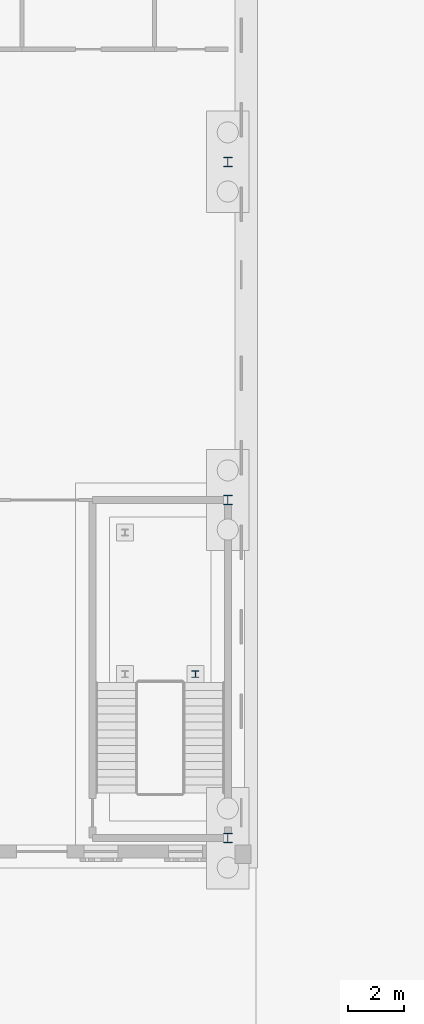
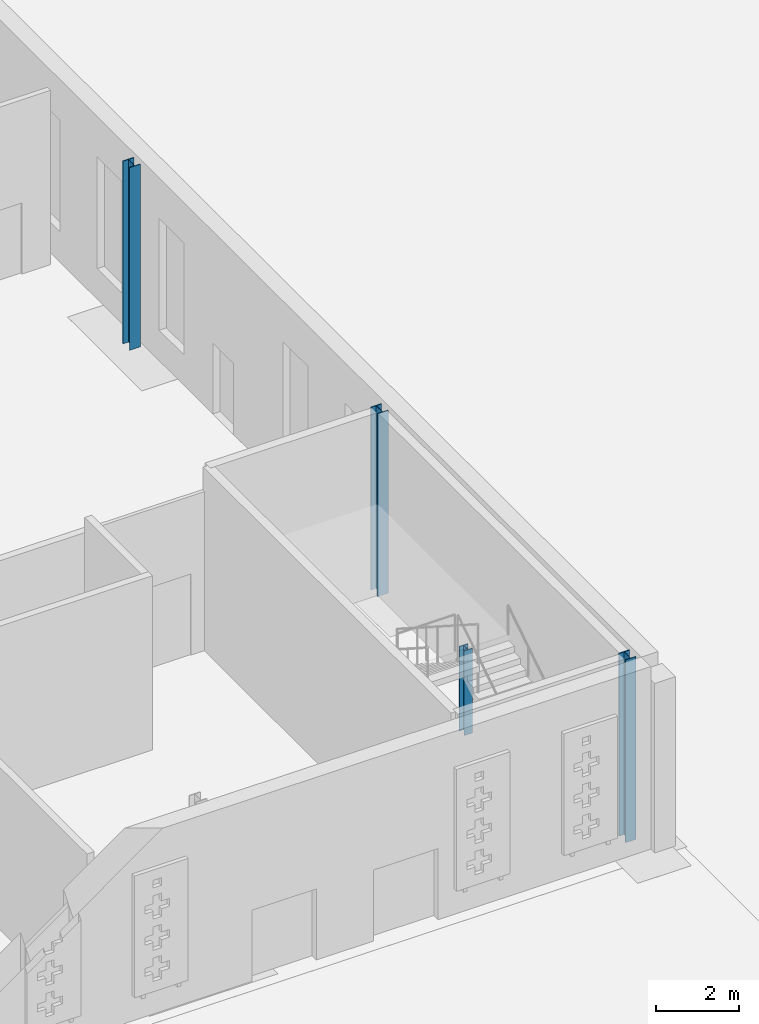
# One storey, part 47 of 132: 4 columns.
"""IFC4 building model written with IfcOpenShell, lengths in metres."""

import ifcopenshell
import ifcopenshell.guid

model = None  # the IFC model being written
_history = None  # IfcOwnerHistory: only IFC2X3 demands one
_inside = {}  # id of a spatial element -> (the spatial element, [elements in it])
_under = {}  # id of a project, library or spatial element -> (it, [spatial elements below it])
_declared = {}  # id of a project -> (the project, [libraries it declares])
_typed = {}  # id of a type object -> (the type object, [elements of that type])
_made_of = {}  # id of a material, layer set ... -> (it, [elements and type objects made of it])


def new_model(schema):
    """Start an empty IFC model of exactly this schema.

    Asked for "IFC4X3", IfcOpenShell would pick the latest addendum, in which some entities
    have other attributes; the version numbers below select the first issue.
    IFC2X3 requires an IfcOwnerHistory on every rooted entity: one is made here for all.
    """
    global model, _history
    if schema == "IFC4X3":
        model = ifcopenshell.file(schema_version=(4, 3, 0, 0))
    else:
        model = ifcopenshell.file(schema=schema)
    _inside.clear()
    _under.clear()
    _declared.clear()
    _typed.clear()
    _made_of.clear()
    _history = None
    if model.schema == "IFC2X3":
        org = make("IfcOrganization", Name="unknown")
        user = make(
            "IfcPersonAndOrganization",
            ThePerson=make("IfcPerson", FamilyName="unknown"),
            TheOrganization=org,
        )
        app = make(
            "IfcApplication",
            ApplicationDeveloper=org,
            Version="unknown",
            ApplicationFullName="unknown",
            ApplicationIdentifier="unknown",
        )
        _history = make(
            "IfcOwnerHistory",
            OwningUser=user,
            OwningApplication=app,
            ChangeAction="ADDED",
            CreationDate=0,
        )
    return model


def make(cls, **values):
    """One entity of the class cls with the attributes given. An attribute that is None is left unset."""
    return model.create_entity(
        cls, **{name: value for name, value in values.items() if value is not None}
    )


def rooted(cls, **values):
    """An entity with a GlobalId (a new one), such as an element, a storey or a relation."""
    return make(cls, GlobalId=ifcopenshell.guid.new(), OwnerHistory=_history, **values)


def si_unit(unit_type, name, prefix=None):
    """IfcSIUnit, for example si_unit("LENGTHUNIT", "METRE", prefix="MILLI")."""
    return make("IfcSIUnit", UnitType=unit_type, Prefix=prefix, Name=name)


def assignment(units):
    """IfcUnitAssignment: the units of a project."""
    return None if units is None else make("IfcUnitAssignment", Units=units)


def point(xyz):
    """IfcCartesianPoint."""
    return None if xyz is None else make("IfcCartesianPoint", Coordinates=xyz)


def direction(xyz):
    """IfcDirection."""
    return None if xyz is None else make("IfcDirection", DirectionRatios=xyz)


def frame(location, z_axis=None, x_axis=None):
    """IfcAxis2Placement3D, a coordinate frame: its origin and axes. An axis left out is left unset."""
    return make(
        "IfcAxis2Placement3D",
        Location=point(location),
        Axis=direction(z_axis),
        RefDirection=direction(x_axis),
    )


def frame_2d(location, x_axis=None):
    """IfcAxis2Placement2D, a coordinate frame in the plane: its origin and x axis."""
    return make(
        "IfcAxis2Placement2D", Location=point(location), RefDirection=direction(x_axis)
    )


def origin():
    """The frame at (0, 0, 0) with its axes left unset."""
    return frame((0.0, 0.0, 0.0))


def origin_2d():
    """The frame at (0, 0) in the plane with its x axis left unset."""
    return frame_2d((0.0, 0.0))


def place(relative_to, where):
    """IfcLocalPlacement: puts the frame where relative to a parent placement (None: the world)."""
    return make(
        "IfcLocalPlacement", PlacementRelTo=relative_to, RelativePlacement=where
    )


def context(
    kind, dimensions, precision=None, world=None, true_north=None, identifier=None
):
    """IfcGeometricRepresentationContext, for example the 3D "Model" context."""
    return make(
        "IfcGeometricRepresentationContext",
        ContextIdentifier=identifier,
        ContextType=kind,
        CoordinateSpaceDimension=dimensions,
        Precision=precision,
        WorldCoordinateSystem=world,
        TrueNorth=true_north,
    )


def subcontext(parent, identifier, kind, view, scale=None):
    """IfcGeometricRepresentationSubContext, for example "Body" below "Model"."""
    return make(
        "IfcGeometricRepresentationSubContext",
        ContextIdentifier=identifier,
        ContextType=kind,
        ParentContext=parent,
        TargetScale=scale,
        TargetView=view,
    )


def project(units=None, contexts=None):
    """IfcProject with its units and contexts."""
    return rooted(
        "IfcProject",
        Name="project",
        RepresentationContexts=contexts,
        UnitsInContext=assignment(units),
    )


def spatial(cls, under=None, at=None, **own):
    """A site, building, storey or space (cls), placed at a placement, below another one or the project."""
    s = rooted(cls, ObjectPlacement=at, **own)
    if under is not None:
        _under.setdefault(under.id(), (under, []))[1].append(s)
    return s


def profile(cls, at=None, kind="AREA", **sizes):
    """A parametric profile (cls). Its sizes go by their IFC names, for example OverallWidth=200.0."""
    return make(cls, ProfileType=kind, Position=at, **sizes)


def i_section(**sizes):
    """IfcIShapeProfileDef."""
    return profile("IfcIShapeProfileDef", **sizes)


def extrude(swept, where, along, depth):
    """IfcExtrudedAreaSolid: the profile swept, set in the frame where, extruded along a direction by depth."""
    return make(
        "IfcExtrudedAreaSolid",
        SweptArea=swept,
        Position=where,
        ExtrudedDirection=direction(along),
        Depth=depth,
    )


def shape(context_of_items, identifier, shape_type, items):
    """IfcShapeRepresentation: the items that make up one representation, for example the "Body"."""
    return make(
        "IfcShapeRepresentation",
        ContextOfItems=context_of_items,
        RepresentationIdentifier=identifier,
        RepresentationType=shape_type,
        Items=items,
    )


def material(Name=None, Category=None):
    """IfcMaterial."""
    return make("IfcMaterial", Name=Name, Category=Category)


def material_profile(
    of_material, cross_section, Name=None, Category=None, Priority=None
):
    """IfcMaterialProfile: a cross section and its material."""
    return make(
        "IfcMaterialProfile",
        Name=Name,
        Material=of_material,
        Profile=cross_section,
        Priority=Priority,
        Category=Category,
    )


def profile_set(profiles, Name=None, composite=None):
    """IfcMaterialProfileSet."""
    return make(
        "IfcMaterialProfileSet",
        Name=Name,
        MaterialProfiles=profiles,
        CompositeProfile=composite,
    )


def made_of(thing, what):
    """Note that an element or type object is made of a material, layer set ...; save() writes the relation."""
    if what is not None:
        _made_of.setdefault(what.id(), (what, []))[1].append(thing)
    return thing


def type_object(cls, material=None, **own):
    """A type object (cls), such as IfcWallType, which elements share."""
    return made_of(rooted(cls, **own), material)


def element(
    cls,
    number,
    at=None,
    inside=None,
    cuts=None,
    type_object=None,
    material=None,
    context=None,
    identifier="Body",
    shape_type=None,
    held_by="IfcProductDefinitionShape",
    body=None,
    shapes=None,
    **own,
):
    """One element of the class cls, such as IfcWall. Its Tag is "e" and its number.

    at: its placement. inside: the storey or other place that contains it. cuts: it is an
    opening in that element (IfcRelVoidsElement). A single representation is given by context,
    identifier, shape_type and body (its items); several are given by shapes. held_by: the class
    of the entity that holds the representations. save() writes the other relations.
    """
    e = rooted(cls, Tag="e%d" % number, ObjectPlacement=at, **own)
    if body is not None:
        shapes = [shape(context, identifier, shape_type, body)]
    if shapes is not None:
        e.Representation = make(held_by, Representations=shapes)
    if inside is not None:
        _inside.setdefault(inside.id(), (inside, []))[1].append(e)
    if cuts is not None:
        rooted(
            "IfcRelVoidsElement", RelatingBuildingElement=cuts, RelatedOpeningElement=e
        )
    if type_object is not None:
        _typed.setdefault(type_object.id(), (type_object, []))[1].append(e)
    return made_of(e, material)


def aggregate(whole, parts):
    """IfcRelAggregates: a whole, such as a stair, and the parts it consists of."""
    return rooted("IfcRelAggregates", RelatingObject=whole, RelatedObjects=parts)


def save(model, path):
    """Write the relations noted so far, then the file.

    IfcRelAggregates (storeys below a building ...), IfcRelContainedInSpatialStructure (elements
    in a storey), IfcRelDefinesByType, IfcRelAssociatesMaterial and IfcRelDeclares: one each for
    every whole, place, type object, material and project.
    """
    for whole, parts in _under.values():
        aggregate(whole, parts)
    for where, things in _inside.values():
        rooted(
            "IfcRelContainedInSpatialStructure",
            RelatedElements=things,
            RelatingStructure=where,
        )
    for kind, things in _typed.values():
        rooted("IfcRelDefinesByType", RelatedObjects=things, RelatingType=kind)
    for what, things in _made_of.values():
        rooted("IfcRelAssociatesMaterial", RelatedObjects=things, RelatingMaterial=what)
    for by, libraries in _declared.values():
        rooted("IfcRelDeclares", RelatingContext=by, RelatedDefinitions=libraries)
    model.write(path)


model = new_model("IFC4")

# Units and contexts
model_context = context("Model", 3, precision=1e-05, world=origin(), true_north=direction((0.0, 1.0)))
body_context = subcontext(model_context, "Body", "Model", "MODEL_VIEW")
ifc_project = project(units=[si_unit("LENGTHUNIT", "METRE"), si_unit("AREAUNIT", "SQUARE_METRE"), si_unit("VOLUMEUNIT", "CUBIC_METRE"), si_unit("PLANEANGLEUNIT", "RADIAN"), si_unit("MASSUNIT", "GRAM", prefix="KILO")], contexts=[model_context])

# Site, building, storey
site_placement = place(None, origin())
site = spatial("IfcSite", under=ifc_project, at=site_placement, CompositionType="ELEMENT")
building_placement = place(site_placement, origin())
building = spatial("IfcBuilding", under=site, at=building_placement, Name="Ravi Spectrum Wholesale Market", CompositionType="ELEMENT")
storey_placement = place(building_placement, origin())
storey = spatial("IfcBuildingStorey", under=building, at=storey_placement, Name="L00", CompositionType="ELEMENT", Elevation=0.0)

# Columns
ifc_material_1 = material(Name="Steel S355", Category="steel")
ifc_material_profile_1 = material_profile(ifc_material_1, i_section(OverallWidth=0.239990234375, OverallDepth=0.239990234375, WebThickness=0.010009765625, FlangeThickness=0.01708984375, at=origin_2d()))
ifc_profile_set_1 = profile_set([ifc_material_profile_1], Name="Steel S355")
column_type_1 = type_object("IfcColumnType", Name="HEB 240 column", PredefinedType="COLUMN", material=ifc_profile_set_1)
column_placement = place(storey_placement, frame((196.85009765625, 203.820068359375, 0.0), z_axis=(0.0, 0.0, 1.0), x_axis=(1.0, 0.0, 0.0)))
element("IfcColumn", 1, at=column_placement, inside=storey, type_object=column_type_1, Name="AU-COL-L00-017", PredefinedType="COLUMN", context=body_context, shape_type="SweptSolid", body=[
    extrude(i_section(OverallWidth=0.239990234375, OverallDepth=0.239990234375, WebThickness=0.010009765625, FlangeThickness=0.01708984375, at=origin_2d()), origin(), (0.0, 0.0, 1.0), 2.5),
])
ifc_material_2 = material(Name="Steel S355", Category="steel")
ifc_material_profile_2 = material_profile(ifc_material_2, i_section(OverallWidth=0.300048828125, OverallDepth=0.340087890625, WebThickness=0.011962890625, FlangeThickness=0.021484375, at=origin_2d()))
ifc_profile_set_2 = profile_set([ifc_material_profile_2], Name="Steel S355")
column_type_2 = type_object("IfcColumnType", Name="HEB 340 column", PredefinedType="COLUMN", material=ifc_profile_set_2)
for number, where, z_axis, x_axis, name in (
    (2, (198.0, 198.0, 0.0), (0.0, 0.0, 1.0), (1.0, 0.0, 0.0), "AU-COL-L00-011"),
    (3, (198.0, 210.0, 0.0), (0.0, 0.0, 1.0), (1.0, 0.0, 0.0), "AU-COL-L00-012"),
    (4, (198.0, 222.0, 0.0), (0.0, 0.0, 1.0), (1.0, 0.0, 0.0), "AU-COL-L00-013"),
):
    element("IfcColumn", number, at=place(storey_placement, frame(where, z_axis=z_axis, x_axis=x_axis)), inside=storey, type_object=column_type_2, Name=name, PredefinedType="COLUMN", context=body_context, shape_type="SweptSolid", body=[
        extrude(i_section(OverallWidth=0.300048828125, OverallDepth=0.340087890625, WebThickness=0.011962890625, FlangeThickness=0.021484375, at=origin_2d()), origin(), (0.0, 0.0, 1.0), 5.39990234375),
    ])

save(model, "model.ifc")
